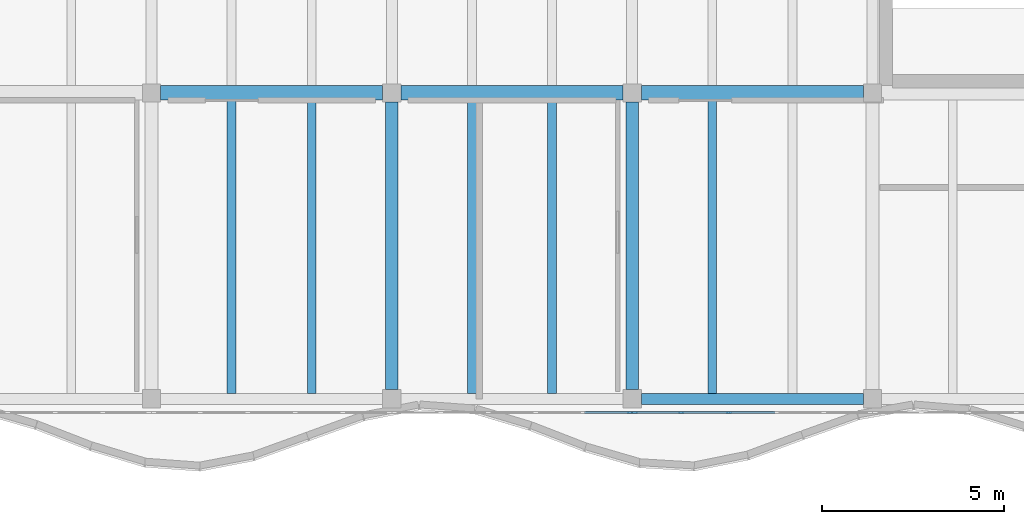
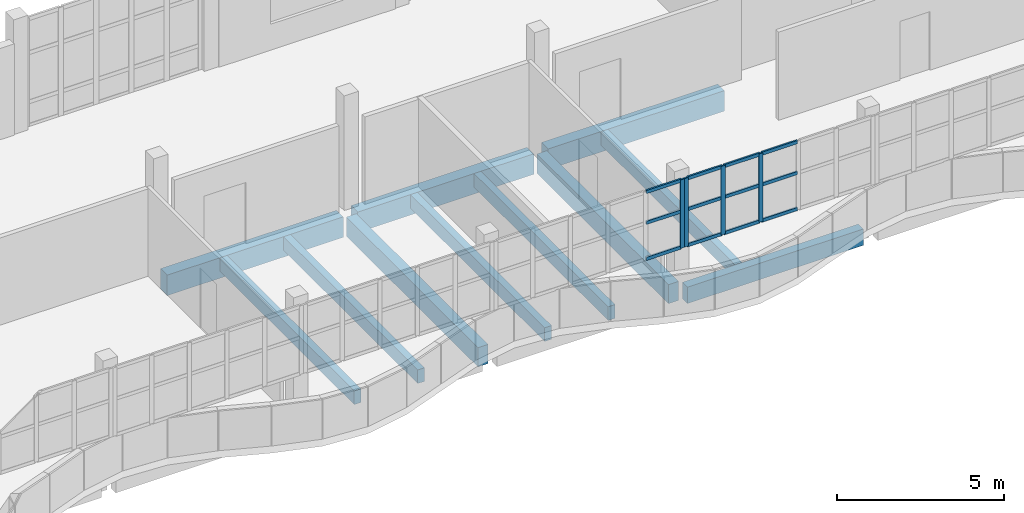
# One storey, part 10 of 47: 16 members, 11 beams, 2 elements without a shape of their own.
"""IFC4 building model written with IfcOpenShell, lengths in metres."""

import ifcopenshell
import ifcopenshell.guid

model = None  # the IFC model being written
_history = None  # IfcOwnerHistory: only IFC2X3 demands one
_inside = {}  # id of a spatial element -> (the spatial element, [elements in it])
_under = {}  # id of a project, library or spatial element -> (it, [spatial elements below it])
_declared = {}  # id of a project -> (the project, [libraries it declares])
_typed = {}  # id of a type object -> (the type object, [elements of that type])
_made_of = {}  # id of a material, layer set ... -> (it, [elements and type objects made of it])


def new_model(schema):
    """Start an empty IFC model of exactly this schema.

    Asked for "IFC4X3", IfcOpenShell would pick the latest addendum, in which some entities
    have other attributes; the version numbers below select the first issue.
    IFC2X3 requires an IfcOwnerHistory on every rooted entity: one is made here for all.
    """
    global model, _history
    if schema == "IFC4X3":
        model = ifcopenshell.file(schema_version=(4, 3, 0, 0))
    else:
        model = ifcopenshell.file(schema=schema)
    _inside.clear()
    _under.clear()
    _declared.clear()
    _typed.clear()
    _made_of.clear()
    _history = None
    if model.schema == "IFC2X3":
        org = make("IfcOrganization", Name="unknown")
        user = make(
            "IfcPersonAndOrganization",
            ThePerson=make("IfcPerson", FamilyName="unknown"),
            TheOrganization=org,
        )
        app = make(
            "IfcApplication",
            ApplicationDeveloper=org,
            Version="unknown",
            ApplicationFullName="unknown",
            ApplicationIdentifier="unknown",
        )
        _history = make(
            "IfcOwnerHistory",
            OwningUser=user,
            OwningApplication=app,
            ChangeAction="ADDED",
            CreationDate=0,
        )
    return model


def make(cls, **values):
    """One entity of the class cls with the attributes given. An attribute that is None is left unset."""
    return model.create_entity(
        cls, **{name: value for name, value in values.items() if value is not None}
    )


def rooted(cls, **values):
    """An entity with a GlobalId (a new one), such as an element, a storey or a relation."""
    return make(cls, GlobalId=ifcopenshell.guid.new(), OwnerHistory=_history, **values)


def si_unit(unit_type, name, prefix=None):
    """IfcSIUnit, for example si_unit("LENGTHUNIT", "METRE", prefix="MILLI")."""
    return make("IfcSIUnit", UnitType=unit_type, Prefix=prefix, Name=name)


def assignment(units):
    """IfcUnitAssignment: the units of a project."""
    return None if units is None else make("IfcUnitAssignment", Units=units)


def point(xyz):
    """IfcCartesianPoint."""
    return None if xyz is None else make("IfcCartesianPoint", Coordinates=xyz)


def direction(xyz):
    """IfcDirection."""
    return None if xyz is None else make("IfcDirection", DirectionRatios=xyz)


def frame(location, z_axis=None, x_axis=None):
    """IfcAxis2Placement3D, a coordinate frame: its origin and axes. An axis left out is left unset."""
    return make(
        "IfcAxis2Placement3D",
        Location=point(location),
        Axis=direction(z_axis),
        RefDirection=direction(x_axis),
    )


def frame_2d(location, x_axis=None):
    """IfcAxis2Placement2D, a coordinate frame in the plane: its origin and x axis."""
    return make(
        "IfcAxis2Placement2D", Location=point(location), RefDirection=direction(x_axis)
    )


def origin():
    """The frame at (0, 0, 0) with its axes left unset."""
    return frame((0.0, 0.0, 0.0))


def origin_2d():
    """The frame at (0, 0) in the plane with its x axis left unset."""
    return frame_2d((0.0, 0.0))


def place(relative_to, where):
    """IfcLocalPlacement: puts the frame where relative to a parent placement (None: the world)."""
    return make(
        "IfcLocalPlacement", PlacementRelTo=relative_to, RelativePlacement=where
    )


def context(
    kind, dimensions, precision=None, world=None, true_north=None, identifier=None
):
    """IfcGeometricRepresentationContext, for example the 3D "Model" context."""
    return make(
        "IfcGeometricRepresentationContext",
        ContextIdentifier=identifier,
        ContextType=kind,
        CoordinateSpaceDimension=dimensions,
        Precision=precision,
        WorldCoordinateSystem=world,
        TrueNorth=true_north,
    )


def subcontext(parent, identifier, kind, view, scale=None):
    """IfcGeometricRepresentationSubContext, for example "Body" below "Model"."""
    return make(
        "IfcGeometricRepresentationSubContext",
        ContextIdentifier=identifier,
        ContextType=kind,
        ParentContext=parent,
        TargetScale=scale,
        TargetView=view,
    )


def project(units=None, contexts=None):
    """IfcProject with its units and contexts."""
    return rooted(
        "IfcProject",
        Name="project",
        RepresentationContexts=contexts,
        UnitsInContext=assignment(units),
    )


def spatial(cls, under=None, at=None, **own):
    """A site, building, storey or space (cls), placed at a placement, below another one or the project."""
    s = rooted(cls, ObjectPlacement=at, **own)
    if under is not None:
        _under.setdefault(under.id(), (under, []))[1].append(s)
    return s


def profile(cls, at=None, kind="AREA", **sizes):
    """A parametric profile (cls). Its sizes go by their IFC names, for example OverallWidth=200.0."""
    return make(cls, ProfileType=kind, Position=at, **sizes)


def rectangle(**sizes):
    """IfcRectangleProfileDef."""
    return profile("IfcRectangleProfileDef", **sizes)


def extrude(swept, where, along, depth):
    """IfcExtrudedAreaSolid: the profile swept, set in the frame where, extruded along a direction by depth."""
    return make(
        "IfcExtrudedAreaSolid",
        SweptArea=swept,
        Position=where,
        ExtrudedDirection=direction(along),
        Depth=depth,
    )


def shape(context_of_items, identifier, shape_type, items):
    """IfcShapeRepresentation: the items that make up one representation, for example the "Body"."""
    return make(
        "IfcShapeRepresentation",
        ContextOfItems=context_of_items,
        RepresentationIdentifier=identifier,
        RepresentationType=shape_type,
        Items=items,
    )


def material(Name=None, Category=None):
    """IfcMaterial."""
    return make("IfcMaterial", Name=Name, Category=Category)


def material_profile(
    of_material, cross_section, Name=None, Category=None, Priority=None
):
    """IfcMaterialProfile: a cross section and its material."""
    return make(
        "IfcMaterialProfile",
        Name=Name,
        Material=of_material,
        Profile=cross_section,
        Priority=Priority,
        Category=Category,
    )


def profile_set(profiles, Name=None, composite=None):
    """IfcMaterialProfileSet."""
    return make(
        "IfcMaterialProfileSet",
        Name=Name,
        MaterialProfiles=profiles,
        CompositeProfile=composite,
    )


def made_of(thing, what):
    """Note that an element or type object is made of a material, layer set ...; save() writes the relation."""
    if what is not None:
        _made_of.setdefault(what.id(), (what, []))[1].append(thing)
    return thing


def type_object(cls, material=None, **own):
    """A type object (cls), such as IfcWallType, which elements share."""
    return made_of(rooted(cls, **own), material)


def element(
    cls,
    number,
    at=None,
    inside=None,
    cuts=None,
    type_object=None,
    material=None,
    context=None,
    identifier="Body",
    shape_type=None,
    held_by="IfcProductDefinitionShape",
    body=None,
    shapes=None,
    **own,
):
    """One element of the class cls, such as IfcWall. Its Tag is "e" and its number.

    at: its placement. inside: the storey or other place that contains it. cuts: it is an
    opening in that element (IfcRelVoidsElement). A single representation is given by context,
    identifier, shape_type and body (its items); several are given by shapes. held_by: the class
    of the entity that holds the representations. save() writes the other relations.
    """
    e = rooted(cls, Tag="e%d" % number, ObjectPlacement=at, **own)
    if body is not None:
        shapes = [shape(context, identifier, shape_type, body)]
    if shapes is not None:
        e.Representation = make(held_by, Representations=shapes)
    if inside is not None:
        _inside.setdefault(inside.id(), (inside, []))[1].append(e)
    if cuts is not None:
        rooted(
            "IfcRelVoidsElement", RelatingBuildingElement=cuts, RelatedOpeningElement=e
        )
    if type_object is not None:
        _typed.setdefault(type_object.id(), (type_object, []))[1].append(e)
    return made_of(e, material)


def aggregate(whole, parts):
    """IfcRelAggregates: a whole, such as a stair, and the parts it consists of."""
    return rooted("IfcRelAggregates", RelatingObject=whole, RelatedObjects=parts)


def save(model, path):
    """Write the relations noted so far, then the file.

    IfcRelAggregates (storeys below a building ...), IfcRelContainedInSpatialStructure (elements
    in a storey), IfcRelDefinesByType, IfcRelAssociatesMaterial and IfcRelDeclares: one each for
    every whole, place, type object, material and project.
    """
    for whole, parts in _under.values():
        aggregate(whole, parts)
    for where, things in _inside.values():
        rooted(
            "IfcRelContainedInSpatialStructure",
            RelatedElements=things,
            RelatingStructure=where,
        )
    for kind, things in _typed.values():
        rooted("IfcRelDefinesByType", RelatedObjects=things, RelatingType=kind)
    for what, things in _made_of.values():
        rooted("IfcRelAssociatesMaterial", RelatedObjects=things, RelatingMaterial=what)
    for by, libraries in _declared.values():
        rooted("IfcRelDeclares", RelatingContext=by, RelatedDefinitions=libraries)
    model.write(path)


model = new_model("IFC4")

# Units and contexts
model_context = context("Model", 3, precision=1e-05, world=origin(), true_north=direction((0.0, 1.0)))
body_context = subcontext(model_context, "Body", "Model", "MODEL_VIEW")
ifc_project = project(units=[si_unit("LENGTHUNIT", "METRE"), si_unit("AREAUNIT", "SQUARE_METRE"), si_unit("VOLUMEUNIT", "CUBIC_METRE"), si_unit("PLANEANGLEUNIT", "RADIAN"), si_unit("MASSUNIT", "GRAM", prefix="KILO")], contexts=[model_context])

# Site, building, storey
site_placement = place(None, origin())
site = spatial("IfcSite", under=ifc_project, at=site_placement, CompositionType="ELEMENT")
building_placement = place(site_placement, origin())
building = spatial("IfcBuilding", under=site, at=building_placement, Name="Qaldarim Faculty of Natural and Applied Sciences", CompositionType="ELEMENT")
storey_placement = place(building_placement, frame((0.0, 0.0, 22.800048828125)))
storey = spatial("IfcBuildingStorey", under=building, at=storey_placement, Name="L05", CompositionType="ELEMENT", Elevation=22.800048828125)

# Beams
ifc_material_1 = material(Name="Concrete C40/50", Category="concrete")
ifc_material_profile_1 = material_profile(ifc_material_1, rectangle(XDim=0.239990234375, YDim=0.5, at=origin_2d()), Name="RC-J240x500")
ifc_profile_set_1 = profile_set([ifc_material_profile_1], Name="Concrete C40/50")
beam_type_1 = type_object("IfcBeamType", Name="HeavyJoist-RC240x500", PredefinedType="JOIST", material=ifc_profile_set_1)
for number, where, z_axis, x_axis, name in (
    (1, (81.39990234375, 100.949951171875, -0.510009765625), (0.0, 1.0, 0.0), (-1.0, 0.0, 0.0), "Laboratory joist L04 bay X13Y13-1"),
    (2, (83.60009765625, 100.949951171875, -0.510009765625), (0.0, 1.0, 0.0), (-1.0, 0.0, 0.0), "Laboratory joist L04 bay X13Y13-2"),
    (3, (88.0, 100.949951171875, -0.510009765625), (0.0, 1.0, 0.0), (-1.0, 0.0, 0.0), "Laboratory joist L04 bay X14Y13-1"),
    (4, (90.199951171875, 100.949951171875, -0.510009765625), (0.0, 1.0, 0.0), (-1.0, 0.0, 0.0), "Laboratory joist L04 bay X14Y13-2"),
    (5, (94.60009765625, 100.949951171875, -0.510009765625), (0.0, 1.0, 0.0), (-1.0, 0.0, 0.0), "Laboratory joist L04 bay X15Y13-1"),
):
    element("IfcBeam", number, at=place(storey_placement, frame(where, z_axis=z_axis, x_axis=x_axis)), inside=storey, type_object=beam_type_1, Name=name, PredefinedType="JOIST", context=body_context, shape_type="SweptSolid", body=[
        extrude(rectangle(XDim=0.239990234375, YDim=0.5, at=origin_2d()), origin(), (0.0, 0.0, 1.0), 8.050048828125),
    ])
ifc_material_2 = material(Name="Concrete C50/60", Category="concrete")
ifc_material_profile_2 = material_profile(ifc_material_2, rectangle(XDim=0.39990234375, YDim=0.75, at=origin_2d()), Name="RC-B400x750")
ifc_profile_set_2 = profile_set([ifc_material_profile_2], Name="Concrete C50/60")
beam_type_2 = type_object("IfcBeamType", Name="LabGirder-RC400x750", PredefinedType="BEAM", material=ifc_profile_set_2)
beam_1_placement = place(storey_placement, frame((79.449951171875, 109.199951171875, -0.635009765625), z_axis=(1.0, 0.0, 0.0), x_axis=(0.0, 1.0, 0.0)))
element("IfcBeam", 6, at=beam_1_placement, inside=storey, type_object=beam_type_2, Name="Beam RC-B400x750 L04 X13-X14/Y14", PredefinedType="BEAM", context=body_context, shape_type="SweptSolid", body=[
    extrude(rectangle(XDim=0.39990234375, YDim=0.75, at=origin_2d()), origin(), (0.0, 0.0, 1.0), 6.10009765625),
])
beam_2_placement = place(storey_placement, frame((86.050048828125, 109.199951171875, -0.635009765625), z_axis=(1.0, 0.0, 0.0), x_axis=(0.0, 1.0, 0.0)))
element("IfcBeam", 7, at=beam_2_placement, inside=storey, type_object=beam_type_2, Name="Beam RC-B400x750 L04 X14-X15/Y14", PredefinedType="BEAM", context=body_context, shape_type="SweptSolid", body=[
    extrude(rectangle(XDim=0.39990234375, YDim=0.75, at=origin_2d()), origin(), (0.0, 0.0, 1.0), 6.099853515625),
])
beam_3_placement = place(storey_placement, frame((92.64990234375, 109.199951171875, -0.635009765625), z_axis=(1.0, 0.0, 0.0), x_axis=(0.0, 1.0, 0.0)))
element("IfcBeam", 8, at=beam_3_placement, inside=storey, type_object=beam_type_2, Name="Beam RC-B400x750 L04 X15-X16/Y14", PredefinedType="BEAM", context=body_context, shape_type="SweptSolid", body=[
    extrude(rectangle(XDim=0.39990234375, YDim=0.75, at=origin_2d()), origin(), (0.0, 0.0, 1.0), 6.10009765625),
])

# Curtain wall, member
ifc_material_3 = material(Name="Anodised aluminium AW-6063", Category="aluminium")
curtain_wall_type = type_object("IfcCurtainWallType", Name="CurtainWallSystem-M1400", PredefinedType="USERDEFINED", material=ifc_material_3)
curtain_wall_1_placement = place(storey_placement, origin())
curtain_wall_1 = element("IfcCurtainWall", 9, at=curtain_wall_1_placement, inside=storey, type_object=curtain_wall_type, Name="Curtain wall CW-V4RIB-L05-X14", ObjectType="STICK CURTAIN WALL", PredefinedType="USERDEFINED")
ifc_material_profile_3 = material_profile(ifc_material_3, rectangle(XDim=0.06005859375, YDim=0.14990234375, at=origin_2d()), Name="ALU-M60x150")
ifc_profile_set_3 = profile_set([ifc_material_profile_3], Name="Anodised aluminium AW-6063")
member_type_1 = type_object("IfcMemberType", Name="Mullion-ALU60x150", PredefinedType="MULLION", material=ifc_profile_set_3)
member_1_placement = place(storey_placement, frame((92.330078125, 100.419921875, 1.449951171875), z_axis=(0.0, 0.0, 1.0), x_axis=(0.0, 1.0, 0.0)))
member_1 = element("IfcMember", 10, at=member_1_placement, type_object=member_type_1, Name="Mullion 6 of CW-V4RIB-L05-X14", PredefinedType="MULLION", context=body_context, shape_type="SweptSolid", body=[
    extrude(rectangle(XDim=0.06005859375, YDim=0.14990234375, at=origin_2d()), origin(), (0.0, 0.0, 1.0), 2.510009765625),
])

# Curtain wall, members
curtain_wall_2_placement = place(storey_placement, origin())
curtain_wall_2 = element("IfcCurtainWall", 11, at=curtain_wall_2_placement, inside=storey, type_object=curtain_wall_type, Name="Curtain wall CW-V4RIB-L05-X15", ObjectType="STICK CURTAIN WALL", PredefinedType="USERDEFINED")
member_2_placement = place(storey_placement, frame((92.469970703125, 100.419921875, 1.449951171875), z_axis=(0.0, 0.0, 1.0), x_axis=(0.0, 1.0, 0.0)))
member_2 = element("IfcMember", 12, at=member_2_placement, type_object=member_type_1, Name="Mullion 1 of CW-V4RIB-L05-X15", PredefinedType="MULLION", context=body_context, shape_type="SweptSolid", body=[
    extrude(rectangle(XDim=0.06005859375, YDim=0.14990234375, at=origin_2d()), origin(), (0.0, 0.0, 1.0), 2.510009765625),
])
member_3_placement = place(storey_placement, frame((93.743896484375, 100.419921875, 1.449951171875), z_axis=(0.0, 0.0, 1.0), x_axis=(0.0, 1.0, 0.0)))
member_3 = element("IfcMember", 13, at=member_3_placement, type_object=member_type_1, Name="Mullion 2 of CW-V4RIB-L05-X15", PredefinedType="MULLION", context=body_context, shape_type="SweptSolid", body=[
    extrude(rectangle(XDim=0.06005859375, YDim=0.14990234375, at=origin_2d()), origin(), (0.0, 0.0, 1.0), 2.510009765625),
])
member_4_placement = place(storey_placement, frame((95.048095703125, 100.419921875, 1.449951171875), z_axis=(0.0, 0.0, 1.0), x_axis=(0.0, 1.0, 0.0)))
member_4 = element("IfcMember", 14, at=member_4_placement, type_object=member_type_1, Name="Mullion 3 of CW-V4RIB-L05-X15", PredefinedType="MULLION", context=body_context, shape_type="SweptSolid", body=[
    extrude(rectangle(XDim=0.06005859375, YDim=0.14990234375, at=origin_2d()), origin(), (0.0, 0.0, 1.0), 2.510009765625),
])

# Beams
ifc_material_profile_4 = material_profile(ifc_material_1, rectangle(XDim=0.35009765625, YDim=0.699951171875, at=origin_2d()), Name="RC-B350x700")
ifc_profile_set_4 = profile_set([ifc_material_profile_4], Name="Concrete C40/50")
beam_type_3 = type_object("IfcBeamType", Name="PrimaryGirder-RC350x700", PredefinedType="BEAM", material=ifc_profile_set_4)
for number, where, z_axis, x_axis, name in (
    (15, (85.800048828125, 101.050048828125, -0.610107421875), (0.0, 1.0, 0.0), (-1.0, 0.0, 0.0), "Beam RC-B350x700 L04 X14/Y13-Y14"),
    (16, (92.39990234375, 101.050048828125, -0.610107421875), (0.0, 1.0, 0.0), (-1.0, 0.0, 0.0), "Beam RC-B350x700 L04 X15/Y13-Y14"),
):
    element("IfcBeam", number, at=place(storey_placement, frame(where, z_axis=z_axis, x_axis=x_axis)), inside=storey, type_object=beam_type_3, Name=name, PredefinedType="BEAM", context=body_context, shape_type="SweptSolid", body=[
        extrude(rectangle(XDim=0.35009765625, YDim=0.699951171875, at=origin_2d()), origin(), (0.0, 0.0, 1.0), 7.89990234375),
    ])
ifc_material_4 = material(Name="Precast concrete C40/50", Category="concrete")
ifc_material_profile_5 = material_profile(ifc_material_4, rectangle(XDim=0.300048828125, YDim=0.60009765625, at=origin_2d()), Name="RC-SP300x600")
ifc_profile_set_5 = profile_set([ifc_material_profile_5], Name="Precast concrete C40/50")
beam_type_4 = type_object("IfcBeamType", Name="SpandrelBeam-RC300x600", PredefinedType="SPANDREL", material=ifc_profile_set_5)
beam_4_placement = place(storey_placement, frame((92.64990234375, 100.800048828125, -0.56005859375), z_axis=(1.0, 0.0, 0.0), x_axis=(0.0, 1.0, 0.0)))
element("IfcBeam", 17, at=beam_4_placement, inside=storey, type_object=beam_type_4, Name="Beam RC-SP300x600 L04 X15-X16/Y13", PredefinedType="SPANDREL", context=body_context, shape_type="SweptSolid", body=[
    extrude(rectangle(XDim=0.300048828125, YDim=0.60009765625, at=origin_2d()), origin(), (0.0, 0.0, 1.0), 6.10009765625),
])

# Member
ifc_material_profile_6 = material_profile(ifc_material_3, rectangle(XDim=0.06005859375, YDim=0.1201171875, at=origin_2d()), Name="ALU-T60x120")
ifc_profile_set_6 = profile_set([ifc_material_profile_6], Name="Anodised aluminium AW-6063")
member_type_2 = type_object("IfcMemberType", Name="Transom-ALU60x120", PredefinedType="USERDEFINED", material=ifc_profile_set_6)
member_5_placement = place(storey_placement, frame((91.0859375, 100.419921875, 1.47998046875), z_axis=(1.0, 0.0, 0.0), x_axis=(0.0, 1.0, 0.0)))
member_5 = element("IfcMember", 18, at=member_5_placement, type_object=member_type_2, Name="Transom 5-1 of CW-V4RIB-L05-X14", ObjectType="TRANSOM", PredefinedType="USERDEFINED", context=body_context, shape_type="SweptSolid", body=[
    extrude(rectangle(XDim=0.06005859375, YDim=0.1201171875, at=origin_2d()), origin(), (0.0, 0.0, 1.0), 1.214111328125),
])

member_6_placement = place(storey_placement, frame((91.0859375, 100.419921875, 2.800048828125), z_axis=(1.0, 0.0, 0.0), x_axis=(0.0, 1.0, 0.0)))
member_6 = element("IfcMember", 19, at=member_6_placement, type_object=member_type_2, Name="Transom 5-2 of CW-V4RIB-L05-X14", ObjectType="TRANSOM", PredefinedType="USERDEFINED", context=body_context, shape_type="SweptSolid", body=[
    extrude(rectangle(XDim=0.06005859375, YDim=0.1201171875, at=origin_2d()), origin(), (0.0, 0.0, 1.0), 1.214111328125),
])

member_7_placement = place(storey_placement, frame((91.0859375, 100.419921875, 3.929931640625), z_axis=(1.0, 0.0, 0.0), x_axis=(0.0, 1.0, 0.0)))
member_7 = element("IfcMember", 20, at=member_7_placement, type_object=member_type_2, Name="Transom 5-3 of CW-V4RIB-L05-X14", ObjectType="TRANSOM", PredefinedType="USERDEFINED", context=body_context, shape_type="SweptSolid", body=[
    extrude(rectangle(XDim=0.06005859375, YDim=0.1201171875, at=origin_2d()), origin(), (0.0, 0.0, 1.0), 1.214111328125),
])

aggregate(curtain_wall_1, [member_1, member_5, member_6, member_7])

member_8_placement = place(storey_placement, frame((92.5, 100.419921875, 1.47998046875), z_axis=(1.0, 0.0, 0.0), x_axis=(0.0, 1.0, 0.0)))
member_8 = element("IfcMember", 21, at=member_8_placement, type_object=member_type_2, Name="Transom 1-1 of CW-V4RIB-L05-X15", ObjectType="TRANSOM", PredefinedType="USERDEFINED", context=body_context, shape_type="SweptSolid", body=[
    extrude(rectangle(XDim=0.06005859375, YDim=0.1201171875, at=origin_2d()), origin(), (0.0, 0.0, 1.0), 1.214111328125),
])

member_9_placement = place(storey_placement, frame((92.5, 100.419921875, 2.800048828125), z_axis=(1.0, 0.0, 0.0), x_axis=(0.0, 1.0, 0.0)))
member_9 = element("IfcMember", 22, at=member_9_placement, type_object=member_type_2, Name="Transom 1-2 of CW-V4RIB-L05-X15", ObjectType="TRANSOM", PredefinedType="USERDEFINED", context=body_context, shape_type="SweptSolid", body=[
    extrude(rectangle(XDim=0.06005859375, YDim=0.1201171875, at=origin_2d()), origin(), (0.0, 0.0, 1.0), 1.214111328125),
])

member_10_placement = place(storey_placement, frame((92.5, 100.419921875, 3.929931640625), z_axis=(1.0, 0.0, 0.0), x_axis=(0.0, 1.0, 0.0)))
member_10 = element("IfcMember", 23, at=member_10_placement, type_object=member_type_2, Name="Transom 1-3 of CW-V4RIB-L05-X15", ObjectType="TRANSOM", PredefinedType="USERDEFINED", context=body_context, shape_type="SweptSolid", body=[
    extrude(rectangle(XDim=0.06005859375, YDim=0.1201171875, at=origin_2d()), origin(), (0.0, 0.0, 1.0), 1.214111328125),
])

member_11_placement = place(storey_placement, frame((93.77392578125, 100.419921875, 1.47998046875), z_axis=(1.0, 0.0, 0.0), x_axis=(0.0, 1.0, 0.0)))
member_11 = element("IfcMember", 24, at=member_11_placement, type_object=member_type_2, Name="Transom 2-1 of CW-V4RIB-L05-X15", ObjectType="TRANSOM", PredefinedType="USERDEFINED", context=body_context, shape_type="SweptSolid", body=[
    extrude(rectangle(XDim=0.06005859375, YDim=0.1201171875, at=origin_2d()), origin(), (0.0, 0.0, 1.0), 1.244140625),
])

member_12_placement = place(storey_placement, frame((93.77392578125, 100.419921875, 2.800048828125), z_axis=(1.0, 0.0, 0.0), x_axis=(0.0, 1.0, 0.0)))
member_12 = element("IfcMember", 25, at=member_12_placement, type_object=member_type_2, Name="Transom 2-2 of CW-V4RIB-L05-X15", ObjectType="TRANSOM", PredefinedType="USERDEFINED", context=body_context, shape_type="SweptSolid", body=[
    extrude(rectangle(XDim=0.06005859375, YDim=0.1201171875, at=origin_2d()), origin(), (0.0, 0.0, 1.0), 1.244140625),
])

member_13_placement = place(storey_placement, frame((93.77392578125, 100.419921875, 3.929931640625), z_axis=(1.0, 0.0, 0.0), x_axis=(0.0, 1.0, 0.0)))
member_13 = element("IfcMember", 26, at=member_13_placement, type_object=member_type_2, Name="Transom 2-3 of CW-V4RIB-L05-X15", ObjectType="TRANSOM", PredefinedType="USERDEFINED", context=body_context, shape_type="SweptSolid", body=[
    extrude(rectangle(XDim=0.06005859375, YDim=0.1201171875, at=origin_2d()), origin(), (0.0, 0.0, 1.0), 1.244140625),
])

member_14_placement = place(storey_placement, frame((95.077880859375, 100.419921875, 1.47998046875), z_axis=(1.0, 0.0, 0.0), x_axis=(0.0, 1.0, 0.0)))
member_14 = element("IfcMember", 27, at=member_14_placement, type_object=member_type_2, Name="Transom 3-1 of CW-V4RIB-L05-X15", ObjectType="TRANSOM", PredefinedType="USERDEFINED", context=body_context, shape_type="SweptSolid", body=[
    extrude(rectangle(XDim=0.06005859375, YDim=0.1201171875, at=origin_2d()), origin(), (0.0, 0.0, 1.0), 1.244140625),
])

member_15_placement = place(storey_placement, frame((95.077880859375, 100.419921875, 2.800048828125), z_axis=(1.0, 0.0, 0.0), x_axis=(0.0, 1.0, 0.0)))
member_15 = element("IfcMember", 28, at=member_15_placement, type_object=member_type_2, Name="Transom 3-2 of CW-V4RIB-L05-X15", ObjectType="TRANSOM", PredefinedType="USERDEFINED", context=body_context, shape_type="SweptSolid", body=[
    extrude(rectangle(XDim=0.06005859375, YDim=0.1201171875, at=origin_2d()), origin(), (0.0, 0.0, 1.0), 1.244140625),
])

member_16_placement = place(storey_placement, frame((95.077880859375, 100.419921875, 3.929931640625), z_axis=(1.0, 0.0, 0.0), x_axis=(0.0, 1.0, 0.0)))
member_16 = element("IfcMember", 29, at=member_16_placement, type_object=member_type_2, Name="Transom 3-3 of CW-V4RIB-L05-X15", ObjectType="TRANSOM", PredefinedType="USERDEFINED", context=body_context, shape_type="SweptSolid", body=[
    extrude(rectangle(XDim=0.06005859375, YDim=0.1201171875, at=origin_2d()), origin(), (0.0, 0.0, 1.0), 1.244140625),
])

aggregate(curtain_wall_2, [member_2, member_3, member_4, member_8, member_9, member_10, member_11, member_12, member_13, member_14, member_15, member_16])

save(model, "model.ifc")
